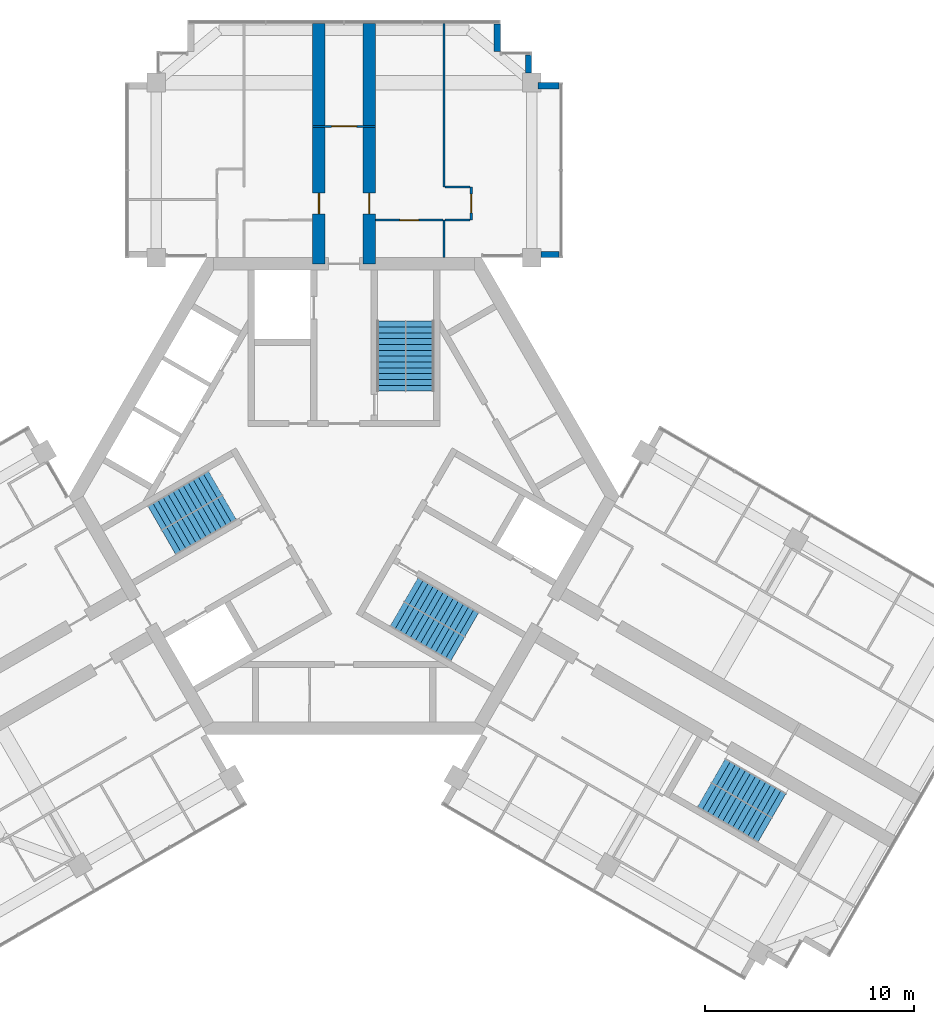
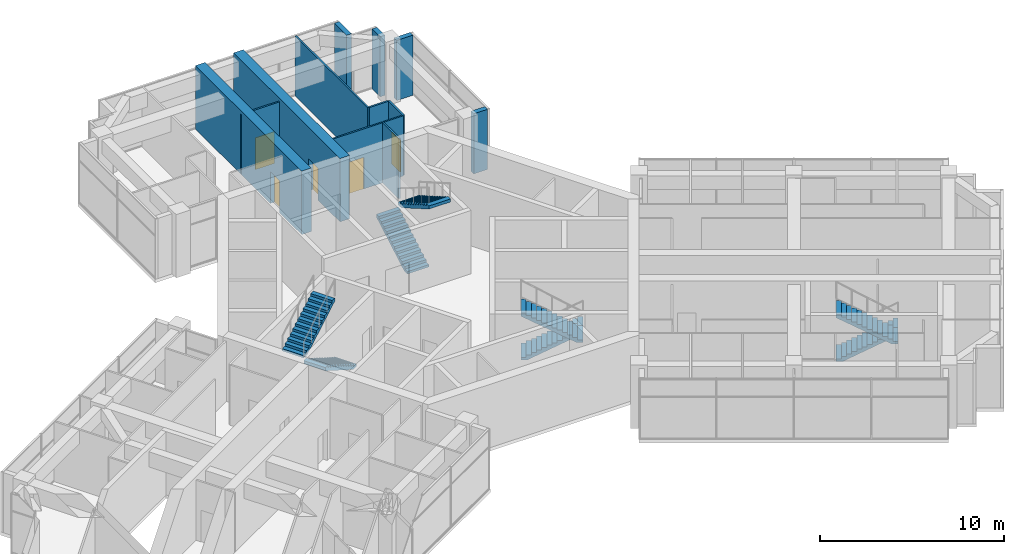
# One storey, part 13 of 14: 13 walls, 8 stair flights, 5 doors, 5 openings, 4 elements without a shape of their own.
"""IFC4 building model written with IfcOpenShell, lengths in metres."""

from ifc_helpers import new_model, si_unit, direction, frame, frame_2d, origin, place, context, subcontext, project, spatial, polyline, rectangle, outline, extrude, material, layer, layer_set, type_object, element, fill, aggregate, save


model = new_model("IFC4")

# Units and contexts
model_context = context("Model", 3, precision=1e-05, world=origin(), true_north=direction((0.0, 1.0)))
body_context = subcontext(model_context, "Body", "Model", "MODEL_VIEW")
ifc_project = project(units=[si_unit("LENGTHUNIT", "METRE"), si_unit("AREAUNIT", "SQUARE_METRE"), si_unit("VOLUMEUNIT", "CUBIC_METRE"), si_unit("PLANEANGLEUNIT", "RADIAN"), si_unit("MASSUNIT", "GRAM", prefix="KILO")], contexts=[model_context])

# Site, building, storey
site_placement = place(None, origin())
site = spatial("IfcSite", under=ifc_project, at=site_placement, CompositionType="ELEMENT")
building_placement = place(site_placement, origin())
building = spatial("IfcBuilding", under=site, at=building_placement, Name="Impinga Residences", CompositionType="ELEMENT")
storey_placement = place(building_placement, frame((0.0, 0.0, 278.949951171875)))
storey = spatial("IfcBuildingStorey", under=building, at=storey_placement, Name="L70", CompositionType="ELEMENT", Elevation=278.949951171875)

# Wall, opening, door
ifc_material_1 = material(Name="Concrete C60/75", Category="concrete")
ifc_layer_1 = layer(ifc_material_1, 0.60009765625)
ifc_layer_set_1 = layer_set([ifc_layer_1], Name="Concrete C60/75")
wall_type_1 = type_object("IfcWallType", Name="BW3 corridor buttress wall, L46 to L73 600", PredefinedType="SHEAR", material=ifc_layer_set_1)
wall_1_placement = place(storey_placement, frame((-1.199951171875, 11.131591796875, 0.0), z_axis=(0.0, 0.0, 1.0), x_axis=(0.0, 1.0, 0.0)))
wall_1 = element("IfcWall", 1, at=wall_1_placement, inside=storey, type_object=wall_type_1, Name="Corridor wall BW3 NC L70", PredefinedType="SHEAR", context=body_context, shape_type="SweptSolid", body=[
    extrude(rectangle(XDim=11.537841796875, YDim=0.60009765625, at=frame_2d((5.76904296875, 0.0))), origin(), (0.0, 0.0, 1.0), 4.199951171875),
])
opening_1_placement = place(wall_1_placement, frame((2.39990234375, 0.0, 0.0)))
opening_1 = element("IfcOpeningElement", 2, at=opening_1_placement, cuts=wall_1, Name="Opening D1", PredefinedType="OPENING", context=body_context, shape_type="SweptSolid", body=[
    extrude(rectangle(XDim=1.0, YDim=2.10009765625, at=frame_2d((0.5, 1.050048828125))), frame((0.0, 0.31005859375, 0.0), z_axis=(0.0, -1.0, 0.0), x_axis=(1.0, 0.0, 0.0)), (0.0, 0.0, 1.0), 0.6201171875),
])
ifc_material_2 = material(Name="Timber door set", Category="wood")
door_type_1 = type_object("IfcDoorType", Name="D1 apartment entrance door 1000x2100", OperationType="SINGLE_SWING_LEFT", PredefinedType="DOOR", material=ifc_material_2)
door_1_placement = place(opening_1_placement, origin())
door_1 = element("IfcDoor", 3, at=door_1_placement, inside=storey, type_object=door_type_1, Name="Apartment L70-NA1 entrance", OperationType="SINGLE_SWING_LEFT", OverallHeight=2.10009765625, OverallWidth=1.0, PredefinedType="DOOR", context=body_context, shape_type="SweptSolid", body=[
    extrude(rectangle(XDim=1.0, YDim=2.10009765625, at=frame_2d((0.5, 1.050048828125))), frame((0.0, 0.02490234375, 0.0), z_axis=(0.0, -1.0, 0.0), x_axis=(1.0, 0.0, 0.0)), (0.0, 0.0, 1.0), 0.050048828125),
])
fill(opening_1, door_1)

wall_2_placement = place(storey_placement, frame((1.199951171875, 11.131591796875, 0.0), z_axis=(0.0, 0.0, 1.0), x_axis=(0.0, 1.0, 0.0)))
wall_2 = element("IfcWall", 4, at=wall_2_placement, inside=storey, type_object=wall_type_1, Name="Corridor wall BW3 ND L70", PredefinedType="SHEAR", context=body_context, shape_type="SweptSolid", body=[
    extrude(rectangle(XDim=11.537841796875, YDim=0.60009765625, at=frame_2d((5.76904296875, 0.0))), origin(), (0.0, 0.0, 1.0), 4.199951171875),
])
opening_2_placement = place(wall_2_placement, frame((2.39990234375, 0.0, 0.0)))
opening_2 = element("IfcOpeningElement", 5, at=opening_2_placement, cuts=wall_2, Name="Opening D1", PredefinedType="OPENING", context=body_context, shape_type="SweptSolid", body=[
    extrude(rectangle(XDim=1.0, YDim=2.10009765625, at=frame_2d((0.5, 1.050048828125))), frame((0.0, 0.31005859375, 0.0), z_axis=(0.0, -1.0, 0.0), x_axis=(1.0, 0.0, 0.0)), (0.0, 0.0, 1.0), 0.6201171875),
])
door_2_placement = place(opening_2_placement, origin())
door_2 = element("IfcDoor", 6, at=door_2_placement, inside=storey, type_object=door_type_1, Name="Apartment L70-NF1 entrance", OperationType="SINGLE_SWING_LEFT", OverallHeight=2.10009765625, OverallWidth=1.0, PredefinedType="DOOR", context=body_context, shape_type="SweptSolid", body=[
    extrude(rectangle(XDim=1.0, YDim=2.10009765625, at=frame_2d((0.5, 1.050048828125))), frame((0.0, 0.02490234375, 0.0), z_axis=(0.0, -1.0, 0.0), x_axis=(1.0, 0.0, 0.0)), (0.0, 0.0, 1.0), 0.050048828125),
])
fill(opening_2, door_2)

ifc_material_3 = material(Name="Concrete blockwork", Category="masonry")
ifc_layer_2 = layer(ifc_material_3, 0.10009765625)
ifc_layer_set_2 = layer_set([ifc_layer_2], Name="CP1 core room partition, blockwork 100")
wall_type_2 = type_object("IfcWallType", Name="CP1 core room partition, blockwork 100", PredefinedType="PARTITIONING", material=ifc_layer_set_2)
wall_3_placement = place(storey_placement, frame((-1.5, 17.7314453125, 0.0), z_axis=(0.0, 0.0, 1.0), x_axis=(1.0, 0.0, 0.0)))
wall_3 = element("IfcWall", 7, at=wall_3_placement, inside=storey, type_object=wall_type_2, Name="Core room partition, blockwork L70:N:LNG", PredefinedType="PARTITIONING", context=body_context, shape_type="SweptSolid", body=[
    extrude(rectangle(XDim=3.0, YDim=0.10009765625, at=frame_2d((1.5, 0.0))), origin(), (0.0, 0.0, 1.0), 3.97998046875),
])
opening_3_placement = place(wall_3_placement, frame((0.89990234375, 0.0, 0.0)))
opening_3 = element("IfcOpeningElement", 8, at=opening_3_placement, cuts=wall_3, Name="Opening D3", PredefinedType="OPENING", context=body_context, shape_type="SweptSolid", body=[
    extrude(rectangle(XDim=1.199951171875, YDim=2.10009765625, at=frame_2d((0.60009765625, 1.050048828125))), frame((0.0, 0.06005859375, 0.0), z_axis=(0.0, -1.0, 0.0), x_axis=(1.0, 0.0, 0.0)), (0.0, 0.0, 1.0), 0.1201171875),
])
door_type_2 = type_object("IfcDoorType", Name="D3 room door, leaf and a half 1200x2100", OperationType="DOUBLE_SWING_LEFT", PredefinedType="DOOR", material=ifc_material_2)
door_3_placement = place(opening_3_placement, origin())
door_3 = element("IfcDoor", 9, at=door_3_placement, inside=storey, type_object=door_type_2, Name="Residents' lounge door N", OperationType="DOUBLE_SWING_LEFT", OverallHeight=2.10009765625, OverallWidth=1.199951171875, PredefinedType="DOOR", context=body_context, shape_type="SweptSolid", body=[
    extrude(rectangle(XDim=1.199951171875, YDim=2.10009765625, at=frame_2d((0.60009765625, 1.050048828125))), frame((0.0, 0.02490234375, 0.0), z_axis=(0.0, -1.0, 0.0), x_axis=(1.0, 0.0, 0.0)), (0.0, 0.0, 1.0), 0.050048828125),
])
fill(opening_3, door_3)

# Walls
ifc_material_4 = material(Name="Stone facing on blockwork", Category="masonry")
ifc_layer_3 = layer(ifc_material_4, 0.300048828125)
ifc_layer_set_3 = layer_set([ifc_layer_3], Name="EW2 external wall, stone facing on blockwork 300")
wall_type_3 = type_object("IfcWallType", Name="EW2 external wall, stone facing on blockwork 300", PredefinedType="SOLIDWALL", material=ifc_layer_set_3)
wall_4_placement = place(storey_placement, frame((7.35009765625, 22.646484375, 0.0), z_axis=(0.0, 0.0, 1.0), x_axis=(0.0, -1.0, 0.0)))
element("IfcWall", 10, at=wall_4_placement, inside=storey, type_object=wall_type_3, Name="External wall EW2 L70", PredefinedType="SOLIDWALL", context=body_context, shape_type="SweptSolid", body=[
    extrude(rectangle(XDim=1.329833984375, YDim=0.300048828125, at=frame_2d((0.6650390625, 0.0))), origin(), (0.0, 0.0, 1.0), 3.97998046875),
])
wall_5_placement = place(storey_placement, frame((8.85009765625, 21.146484375, 0.0), z_axis=(0.0, 0.0, 1.0), x_axis=(0.0, -1.0, 0.0)))
element("IfcWall", 11, at=wall_5_placement, inside=storey, type_object=wall_type_3, Name="External wall EW2 L70", PredefinedType="SOLIDWALL", context=body_context, shape_type="SweptSolid", body=[
    extrude(rectangle(XDim=0.862060546875, YDim=0.300048828125, at=frame_2d((0.43115234375, 0.0))), origin(), (0.0, 0.0, 1.0), 3.97998046875),
])
wall_6_placement = place(storey_placement, frame((9.300048828125, 19.681640625, 0.0), z_axis=(0.0, 0.0, 1.0), x_axis=(1.0, 0.0, 0.0)))
element("IfcWall", 12, at=wall_6_placement, inside=storey, type_object=wall_type_3, Name="External wall EW2 L70", PredefinedType="SOLIDWALL", context=body_context, shape_type="SweptSolid", body=[
    extrude(rectangle(XDim=1.014892578125, YDim=0.300048828125, at=frame_2d((0.50732421875, 0.0))), origin(), (0.0, 0.0, 1.0), 3.97998046875),
])
wall_7_placement = place(storey_placement, frame((10.31494140625, 11.58154296875, 0.0), z_axis=(0.0, 0.0, 1.0), x_axis=(-1.0, 0.0, 0.0)))
element("IfcWall", 13, at=wall_7_placement, inside=storey, type_object=wall_type_3, Name="External wall EW2 L70", PredefinedType="SOLIDWALL", context=body_context, shape_type="SweptSolid", body=[
    extrude(rectangle(XDim=0.862060546875, YDim=0.300048828125, at=frame_2d((0.43115234375, 0.0))), origin(), (0.0, 0.0, 1.0), 3.97998046875),
])
ifc_material_5 = material(Name="Gypsum board on steel studs", Category="steel")
ifc_layer_4 = layer(ifc_material_5, 0.10009765625)
ifc_layer_set_4 = layer_set([ifc_layer_4], Name="Gypsum board on steel studs")
wall_type_4 = type_object("IfcWallType", Name="IP1 partition 100", PredefinedType="PARTITIONING", material=ifc_layer_set_4)
wall_8_placement = place(storey_placement, frame((4.800048828125, 11.431640625, 0.0), z_axis=(0.0, 0.0, 1.0), x_axis=(0.0, 1.0, 0.0)))
element("IfcWall", 14, at=wall_8_placement, inside=storey, type_object=wall_type_4, Name="Partition L70-NF1:DIV0", PredefinedType="PARTITIONING", context=body_context, shape_type="SweptSolid", body=[
    extrude(rectangle(XDim=1.7998046875, YDim=0.10009765625, at=frame_2d((0.89990234375, 0.0))), origin(), (0.0, 0.0, 1.0), 3.97998046875),
])
wall_9_placement = place(storey_placement, frame((4.800048828125, 14.83154296875, 0.0), z_axis=(0.0, 0.0, 1.0), x_axis=(0.0, 1.0, 0.0)))
element("IfcWall", 15, at=wall_9_placement, inside=storey, type_object=wall_type_4, Name="Partition L70-NF1:DIV1", PredefinedType="PARTITIONING", context=body_context, shape_type="SweptSolid", body=[
    extrude(rectangle(XDim=7.8369140625, YDim=0.10009765625, at=frame_2d((3.91845703125, 0.0))), origin(), (0.0, 0.0, 1.0), 3.97998046875),
])

# Wall, opening, door
wall_10_placement = place(storey_placement, frame((6.10009765625, 13.2314453125, 0.0), z_axis=(0.0, 0.0, 1.0), x_axis=(0.0, 1.0, 0.0)))
wall_10 = element("IfcWall", 16, at=wall_10_placement, inside=storey, type_object=wall_type_4, Name="Partition L70-NF1:STRIP", PredefinedType="PARTITIONING", context=body_context, shape_type="SweptSolid", body=[
    extrude(rectangle(XDim=1.60009765625, YDim=0.10009765625, at=frame_2d((0.800048828125, 0.0))), origin(), (0.0, 0.0, 1.0), 3.97998046875),
])
opening_4_placement = place(wall_10_placement, frame((0.35009765625, 0.0, 0.0)))
opening_4 = element("IfcOpeningElement", 17, at=opening_4_placement, cuts=wall_10, Name="Opening D2", PredefinedType="OPENING", context=body_context, shape_type="SweptSolid", body=[
    extrude(rectangle(XDim=0.89990234375, YDim=2.10009765625, at=frame_2d((0.449951171875, 1.050048828125))), frame((0.0, 0.06005859375, 0.0), z_axis=(0.0, -1.0, 0.0), x_axis=(1.0, 0.0, 0.0)), (0.0, 0.0, 1.0), 0.1201171875),
])
door_type_3 = type_object("IfcDoorType", Name="D2 internal door 900x2100", OperationType="SINGLE_SWING_LEFT", PredefinedType="DOOR", material=ifc_material_2)
door_4_placement = place(opening_4_placement, origin())
door_4 = element("IfcDoor", 18, at=door_4_placement, inside=storey, type_object=door_type_3, Name="Apartment L70-NF1 room door", OperationType="SINGLE_SWING_LEFT", OverallHeight=2.10009765625, OverallWidth=0.89990234375, PredefinedType="DOOR", context=body_context, shape_type="SweptSolid", body=[
    extrude(rectangle(XDim=0.89990234375, YDim=2.10009765625, at=frame_2d((0.449951171875, 1.050048828125))), frame((0.0, 0.02490234375, 0.0), z_axis=(0.0, -1.0, 0.0), x_axis=(1.0, 0.0, 0.0)), (0.0, 0.0, 1.0), 0.050048828125),
])
fill(opening_4, door_4)

# Walls
for number, where, z_axis, x_axis, name in (
    (19, (4.85009765625, 13.2314453125, 0.0), (0.0, 0.0, 1.0), (1.0, 0.0, 0.0), "Partition L70-NF1:SE0"),
    (20, (4.85009765625, 14.83154296875, 0.0), (0.0, 0.0, 1.0), (1.0, 0.0, 0.0), "Partition L70-NF1:SE1"),
):
    element("IfcWall", number, at=place(storey_placement, frame(where, z_axis=z_axis, x_axis=x_axis)), inside=storey, type_object=wall_type_4, Name=name, PredefinedType="PARTITIONING", context=body_context, shape_type="SweptSolid", body=[
        extrude(rectangle(XDim=1.199951171875, YDim=0.10009765625, at=frame_2d((0.60009765625, 0.0))), origin(), (0.0, 0.0, 1.0), 3.97998046875),
    ])

# Wall, opening, door
wall_11_placement = place(storey_placement, frame((1.5, 13.2314453125, 0.0), z_axis=(0.0, 0.0, 1.0), x_axis=(1.0, 0.0, 0.0)))
wall_11 = element("IfcWall", 21, at=wall_11_placement, inside=storey, type_object=wall_type_4, Name="Partition L70-NF1:IB1", PredefinedType="PARTITIONING", context=body_context, shape_type="SweptSolid", body=[
    extrude(rectangle(XDim=3.25, YDim=0.10009765625, at=frame_2d((1.625, 0.0))), origin(), (0.0, 0.0, 1.0), 3.97998046875),
])
opening_5_placement = place(wall_11_placement, frame((1.175048828125, 0.0, 0.0)))
opening_5 = element("IfcOpeningElement", 22, at=opening_5_placement, cuts=wall_11, Name="Opening D2", PredefinedType="OPENING", context=body_context, shape_type="SweptSolid", body=[
    extrude(rectangle(XDim=0.89990234375, YDim=2.10009765625, at=frame_2d((0.449951171875, 1.050048828125))), frame((0.0, 0.06005859375, 0.0), z_axis=(0.0, -1.0, 0.0), x_axis=(1.0, 0.0, 0.0)), (0.0, 0.0, 1.0), 0.1201171875),
])
door_5_placement = place(opening_5_placement, origin())
door_5 = element("IfcDoor", 23, at=door_5_placement, inside=storey, type_object=door_type_3, Name="Apartment L70-NF1 bathroom door", OperationType="SINGLE_SWING_LEFT", OverallHeight=2.10009765625, OverallWidth=0.89990234375, PredefinedType="DOOR", context=body_context, shape_type="SweptSolid", body=[
    extrude(rectangle(XDim=0.89990234375, YDim=2.10009765625, at=frame_2d((0.449951171875, 1.050048828125))), frame((0.0, 0.02490234375, 0.0), z_axis=(0.0, -1.0, 0.0), x_axis=(1.0, 0.0, 0.0)), (0.0, 0.0, 1.0), 0.050048828125),
])
fill(opening_5, door_5)

# Stair, stair flights
ifc_material_6 = material(Name="Concrete C40/50", Category="concrete")
stair_type_1 = type_object("IfcStairType", Name="STR core stair 4200 storey, 26 risers", PredefinedType="HALF_TURN_STAIR", material=ifc_material_6)
stair_1_placement = place(storey_placement, origin())
stair_1 = element("IfcStair", 24, at=stair_1_placement, inside=storey, type_object=stair_type_1, Name="Stair ST1 L70", PredefinedType="HALF_TURN_STAIR")
stair_flight_type = type_object("IfcStairFlightType", Name="SF 13 risers of 162", PredefinedType="STRAIGHT", material=ifc_material_6)
stair_flight_1_placement = place(storey_placement, frame((2.27490234375, 5.030029296875, 0.0), z_axis=(0.0, 0.0, 1.0), x_axis=(0.0, 1.0, 0.0)))
stair_flight_1 = element("IfcStairFlight", 25, at=stair_flight_1_placement, type_object=stair_flight_type, Name="ST1 flight 1", NumberOfRisers=13, NumberOfTreads=12, PredefinedType="STRAIGHT", RiserHeight=0.161538462, TreadLength=0.28, context=body_context, shape_type="SweptSolid", body=[
    extrude(outline(polyline([(0.0, 0.0), (0.0, 0.16162109375), (0.280029296875, 0.16162109375), (0.280029296875, 0.322998046875), (0.56005859375, 0.322998046875), (0.56005859375, 0.484619140625), (0.840087890625, 0.484619140625), (0.840087890625, 0.646240234375), (1.1201171875, 0.646240234375), (1.1201171875, 0.8076171875), (1.39990234375, 0.8076171875), (1.39990234375, 0.96923828125), (1.679931640625, 0.96923828125), (1.679931640625, 1.130859375), (1.9599609375, 1.130859375), (1.9599609375, 1.292236328125), (2.239990234375, 1.292236328125), (2.239990234375, 1.453857421875), (2.52001953125, 1.453857421875), (2.52001953125, 1.615478515625), (2.800048828125, 1.615478515625), (2.800048828125, 1.77685546875), (3.080078125, 1.77685546875), (3.080078125, 1.9384765625), (3.360107421875, 1.9384765625), (3.360107421875, 2.10009765625), (3.360107421875, 1.730712890625), (0.360107421875, 0.0), (0.0, 0.0)])), frame((0.0, 0.675048828125, 0.0), z_axis=(0.0, -1.0, 0.0), x_axis=(1.0, 0.0, 0.0)), (0.0, 0.0, 1.0), 1.35009765625),
])
stair_flight_2_placement = place(storey_placement, frame((3.625, 8.389892578125, 2.10009765625), z_axis=(0.0, 0.0, 1.0), x_axis=(0.0, -1.0, 0.0)))
stair_flight_2 = element("IfcStairFlight", 26, at=stair_flight_2_placement, type_object=stair_flight_type, Name="ST1 flight 2", NumberOfRisers=13, NumberOfTreads=12, PredefinedType="STRAIGHT", RiserHeight=0.161538462, TreadLength=0.28, context=body_context, shape_type="SweptSolid", body=[
    extrude(outline(polyline([(0.0, 0.0), (0.0, 0.16162109375), (0.280029296875, 0.16162109375), (0.280029296875, 0.322998046875), (0.56005859375, 0.322998046875), (0.56005859375, 0.484619140625), (0.840087890625, 0.484619140625), (0.840087890625, 0.646240234375), (1.1201171875, 0.646240234375), (1.1201171875, 0.8076171875), (1.39990234375, 0.8076171875), (1.39990234375, 0.96923828125), (1.679931640625, 0.96923828125), (1.679931640625, 1.130859375), (1.9599609375, 1.130859375), (1.9599609375, 1.292236328125), (2.239990234375, 1.292236328125), (2.239990234375, 1.453857421875), (2.52001953125, 1.453857421875), (2.52001953125, 1.615478515625), (2.800048828125, 1.615478515625), (2.800048828125, 1.77685546875), (3.080078125, 1.77685546875), (3.080078125, 1.9384765625), (3.360107421875, 1.9384765625), (3.360107421875, 2.10009765625), (3.360107421875, 1.730712890625), (0.360107421875, 0.0), (0.0, 0.0)])), frame((0.0, 0.675048828125, 0.0), z_axis=(0.0, -1.0, 0.0), x_axis=(1.0, 0.0, 0.0)), (0.0, 0.0, 1.0), 1.35009765625),
])
aggregate(stair_1, [stair_flight_1, stair_flight_2])

stair_2_placement = place(storey_placement, origin())
stair_2 = element("IfcStair", 27, at=stair_2_placement, inside=storey, type_object=stair_type_1, Name="Stair ST2 L70", PredefinedType="HALF_TURN_STAIR")
stair_flight_3_placement = place(storey_placement, frame((-5.49365234375, -0.544677734375, 0.0), z_axis=(0.0, 0.0, 1.0), x_axis=(-0.866025403784, -0.5, 0.0)))
stair_flight_3 = element("IfcStairFlight", 28, at=stair_flight_3_placement, type_object=stair_flight_type, Name="ST2 flight 1", NumberOfRisers=13, NumberOfTreads=12, PredefinedType="STRAIGHT", RiserHeight=0.161538462, TreadLength=0.28, context=body_context, shape_type="SweptSolid", body=[
    extrude(outline(polyline([(0.0, 0.0), (0.0, 0.16162109375), (0.280029296875, 0.16162109375), (0.280029296875, 0.322998046875), (0.56005859375, 0.322998046875), (0.56005859375, 0.484619140625), (0.840087890625, 0.484619140625), (0.840087890625, 0.646240234375), (1.1201171875, 0.646240234375), (1.1201171875, 0.8076171875), (1.39990234375, 0.8076171875), (1.39990234375, 0.96923828125), (1.679931640625, 0.96923828125), (1.679931640625, 1.130859375), (1.9599609375, 1.130859375), (1.9599609375, 1.292236328125), (2.239990234375, 1.292236328125), (2.239990234375, 1.453857421875), (2.52001953125, 1.453857421875), (2.52001953125, 1.615478515625), (2.800048828125, 1.615478515625), (2.800048828125, 1.77685546875), (3.080078125, 1.77685546875), (3.080078125, 1.9384765625), (3.360107421875, 1.9384765625), (3.360107421875, 2.10009765625), (3.360107421875, 1.730712890625), (0.360107421875, 0.0), (0.0, 0.0)])), frame((0.0, 0.675048828125, 0.0), z_axis=(0.0, -1.0, 0.0), x_axis=(1.0, 0.0, 0.0)), (0.0, 0.0, 1.0), 1.35009765625),
])
stair_flight_4_placement = place(storey_placement, frame((-9.078369140625, -1.0556640625, 2.10009765625), z_axis=(0.0, 0.0, 1.0), x_axis=(0.866025403784, 0.5, 0.0)))
stair_flight_4 = element("IfcStairFlight", 29, at=stair_flight_4_placement, type_object=stair_flight_type, Name="ST2 flight 2", NumberOfRisers=13, NumberOfTreads=12, PredefinedType="STRAIGHT", RiserHeight=0.161538462, TreadLength=0.28, context=body_context, shape_type="SweptSolid", body=[
    extrude(outline(polyline([(0.0, 0.0), (0.0, 0.16162109375), (0.280029296875, 0.16162109375), (0.280029296875, 0.322998046875), (0.56005859375, 0.322998046875), (0.56005859375, 0.484619140625), (0.840087890625, 0.484619140625), (0.840087890625, 0.646240234375), (1.1201171875, 0.646240234375), (1.1201171875, 0.8076171875), (1.39990234375, 0.8076171875), (1.39990234375, 0.96923828125), (1.679931640625, 0.96923828125), (1.679931640625, 1.130859375), (1.9599609375, 1.130859375), (1.9599609375, 1.292236328125), (2.239990234375, 1.292236328125), (2.239990234375, 1.453857421875), (2.52001953125, 1.453857421875), (2.52001953125, 1.615478515625), (2.800048828125, 1.615478515625), (2.800048828125, 1.77685546875), (3.080078125, 1.77685546875), (3.080078125, 1.9384765625), (3.360107421875, 1.9384765625), (3.360107421875, 2.10009765625), (3.360107421875, 1.730712890625), (0.360107421875, 0.0), (0.0, 0.0)])), frame((0.0, 0.675048828125, 0.0), z_axis=(0.0, -1.0, 0.0), x_axis=(1.0, 0.0, 0.0)), (0.0, 0.0, 1.0), 1.35009765625),
])
aggregate(stair_2, [stair_flight_3, stair_flight_4])

stair_3_placement = place(storey_placement, origin())
stair_3 = element("IfcStair", 30, at=stair_3_placement, inside=storey, type_object=stair_type_1, Name="Stair ST3 L70", PredefinedType="HALF_TURN_STAIR")
stair_flight_5_placement = place(storey_placement, frame((3.218505859375, -4.485107421875, 0.0), z_axis=(0.0, 0.0, 1.0), x_axis=(0.866025403784, -0.5, 0.0)))
stair_flight_5 = element("IfcStairFlight", 31, at=stair_flight_5_placement, type_object=stair_flight_type, Name="ST3 flight 1", NumberOfRisers=13, NumberOfTreads=12, PredefinedType="STRAIGHT", RiserHeight=0.161538462, TreadLength=0.28, context=body_context, shape_type="SweptSolid", body=[
    extrude(outline(polyline([(0.0, 0.0), (0.0, 0.16162109375), (0.280029296875, 0.16162109375), (0.280029296875, 0.322998046875), (0.56005859375, 0.322998046875), (0.56005859375, 0.484619140625), (0.840087890625, 0.484619140625), (0.840087890625, 0.646240234375), (1.1201171875, 0.646240234375), (1.1201171875, 0.8076171875), (1.39990234375, 0.8076171875), (1.39990234375, 0.96923828125), (1.679931640625, 0.96923828125), (1.679931640625, 1.130859375), (1.9599609375, 1.130859375), (1.9599609375, 1.292236328125), (2.239990234375, 1.292236328125), (2.239990234375, 1.453857421875), (2.52001953125, 1.453857421875), (2.52001953125, 1.615478515625), (2.800048828125, 1.615478515625), (2.800048828125, 1.77685546875), (3.080078125, 1.77685546875), (3.080078125, 1.9384765625), (3.360107421875, 1.9384765625), (3.360107421875, 2.10009765625), (3.360107421875, 1.730712890625), (0.360107421875, 0.0), (0.0, 0.0)])), frame((0.0, 0.675048828125, 0.0), z_axis=(0.0, -1.0, 0.0), x_axis=(1.0, 0.0, 0.0)), (0.0, 0.0, 1.0), 1.35009765625),
])
stair_flight_6_placement = place(storey_placement, frame((5.453369140625, -7.334228515625, 2.10009765625), z_axis=(0.0, 0.0, 1.0), x_axis=(-0.866025403784, 0.5, 0.0)))
stair_flight_6 = element("IfcStairFlight", 32, at=stair_flight_6_placement, type_object=stair_flight_type, Name="ST3 flight 2", NumberOfRisers=13, NumberOfTreads=12, PredefinedType="STRAIGHT", RiserHeight=0.161538462, TreadLength=0.28, context=body_context, shape_type="SweptSolid", body=[
    extrude(outline(polyline([(0.0, 0.0), (0.0, 0.16162109375), (0.280029296875, 0.16162109375), (0.280029296875, 0.322998046875), (0.56005859375, 0.322998046875), (0.56005859375, 0.484619140625), (0.840087890625, 0.484619140625), (0.840087890625, 0.646240234375), (1.1201171875, 0.646240234375), (1.1201171875, 0.8076171875), (1.39990234375, 0.8076171875), (1.39990234375, 0.96923828125), (1.679931640625, 0.96923828125), (1.679931640625, 1.130859375), (1.9599609375, 1.130859375), (1.9599609375, 1.292236328125), (2.239990234375, 1.292236328125), (2.239990234375, 1.453857421875), (2.52001953125, 1.453857421875), (2.52001953125, 1.615478515625), (2.800048828125, 1.615478515625), (2.800048828125, 1.77685546875), (3.080078125, 1.77685546875), (3.080078125, 1.9384765625), (3.360107421875, 1.9384765625), (3.360107421875, 2.10009765625), (3.360107421875, 1.730712890625), (0.360107421875, 0.0), (0.0, 0.0)])), frame((0.0, 0.675048828125, 0.0), z_axis=(0.0, -1.0, 0.0), x_axis=(1.0, 0.0, 0.0)), (0.0, 0.0, 1.0), 1.35009765625),
])
aggregate(stair_3, [stair_flight_5, stair_flight_6])

stair_type_2 = type_object("IfcStairType", Name="STR wing stair 4200 storey, 26 risers", PredefinedType="HALF_TURN_STAIR", material=ifc_material_6)
stair_4_placement = place(storey_placement, origin())
stair_4 = element("IfcStair", 33, at=stair_4_placement, inside=storey, type_object=stair_type_2, Name="Stair WS3 L70", PredefinedType="HALF_TURN_STAIR")
stair_flight_7_placement = place(storey_placement, frame((17.953857421875, -13.165771484375, 0.0), z_axis=(0.0, 0.0, 1.0), x_axis=(0.866025403784, -0.5, 0.0)))
stair_flight_7 = element("IfcStairFlight", 34, at=stair_flight_7_placement, type_object=stair_flight_type, Name="WS3 flight 1", NumberOfRisers=13, NumberOfTreads=12, PredefinedType="STRAIGHT", RiserHeight=0.161538462, TreadLength=0.28, context=body_context, shape_type="SweptSolid", body=[
    extrude(outline(polyline([(0.0, 0.0), (0.0, 0.16162109375), (0.280029296875, 0.16162109375), (0.280029296875, 0.322998046875), (0.56005859375, 0.322998046875), (0.56005859375, 0.484619140625), (0.840087890625, 0.484619140625), (0.840087890625, 0.646240234375), (1.1201171875, 0.646240234375), (1.1201171875, 0.8076171875), (1.39990234375, 0.8076171875), (1.39990234375, 0.96923828125), (1.679931640625, 0.96923828125), (1.679931640625, 1.130859375), (1.9599609375, 1.130859375), (1.9599609375, 1.292236328125), (2.239990234375, 1.292236328125), (2.239990234375, 1.453857421875), (2.52001953125, 1.453857421875), (2.52001953125, 1.615478515625), (2.800048828125, 1.615478515625), (2.800048828125, 1.77685546875), (3.080078125, 1.77685546875), (3.080078125, 1.9384765625), (3.360107421875, 1.9384765625), (3.360107421875, 2.10009765625), (3.360107421875, 1.730712890625), (0.360107421875, 0.0), (0.0, 0.0)])), frame((0.0, 0.675048828125, 0.0), z_axis=(0.0, -1.0, 0.0), x_axis=(1.0, 0.0, 0.0)), (0.0, 0.0, 1.0), 1.35009765625),
])
stair_flight_8_placement = place(storey_placement, frame((20.188720703125, -16.014892578125, 2.10009765625), z_axis=(0.0, 0.0, 1.0), x_axis=(-0.866025403784, 0.5, 0.0)))
stair_flight_8 = element("IfcStairFlight", 35, at=stair_flight_8_placement, type_object=stair_flight_type, Name="WS3 flight 2", NumberOfRisers=13, NumberOfTreads=12, PredefinedType="STRAIGHT", RiserHeight=0.161538462, TreadLength=0.28, context=body_context, shape_type="SweptSolid", body=[
    extrude(outline(polyline([(0.0, 0.0), (0.0, 0.16162109375), (0.280029296875, 0.16162109375), (0.280029296875, 0.322998046875), (0.56005859375, 0.322998046875), (0.56005859375, 0.484619140625), (0.840087890625, 0.484619140625), (0.840087890625, 0.646240234375), (1.1201171875, 0.646240234375), (1.1201171875, 0.8076171875), (1.39990234375, 0.8076171875), (1.39990234375, 0.96923828125), (1.679931640625, 0.96923828125), (1.679931640625, 1.130859375), (1.9599609375, 1.130859375), (1.9599609375, 1.292236328125), (2.239990234375, 1.292236328125), (2.239990234375, 1.453857421875), (2.52001953125, 1.453857421875), (2.52001953125, 1.615478515625), (2.800048828125, 1.615478515625), (2.800048828125, 1.77685546875), (3.080078125, 1.77685546875), (3.080078125, 1.9384765625), (3.360107421875, 1.9384765625), (3.360107421875, 2.10009765625), (3.360107421875, 1.730712890625), (0.360107421875, 0.0), (0.0, 0.0)])), frame((0.0, 0.675048828125, 0.0), z_axis=(0.0, -1.0, 0.0), x_axis=(1.0, 0.0, 0.0)), (0.0, 0.0, 1.0), 1.35009765625),
])
aggregate(stair_4, [stair_flight_7, stair_flight_8])

save(model, "model.ifc")
